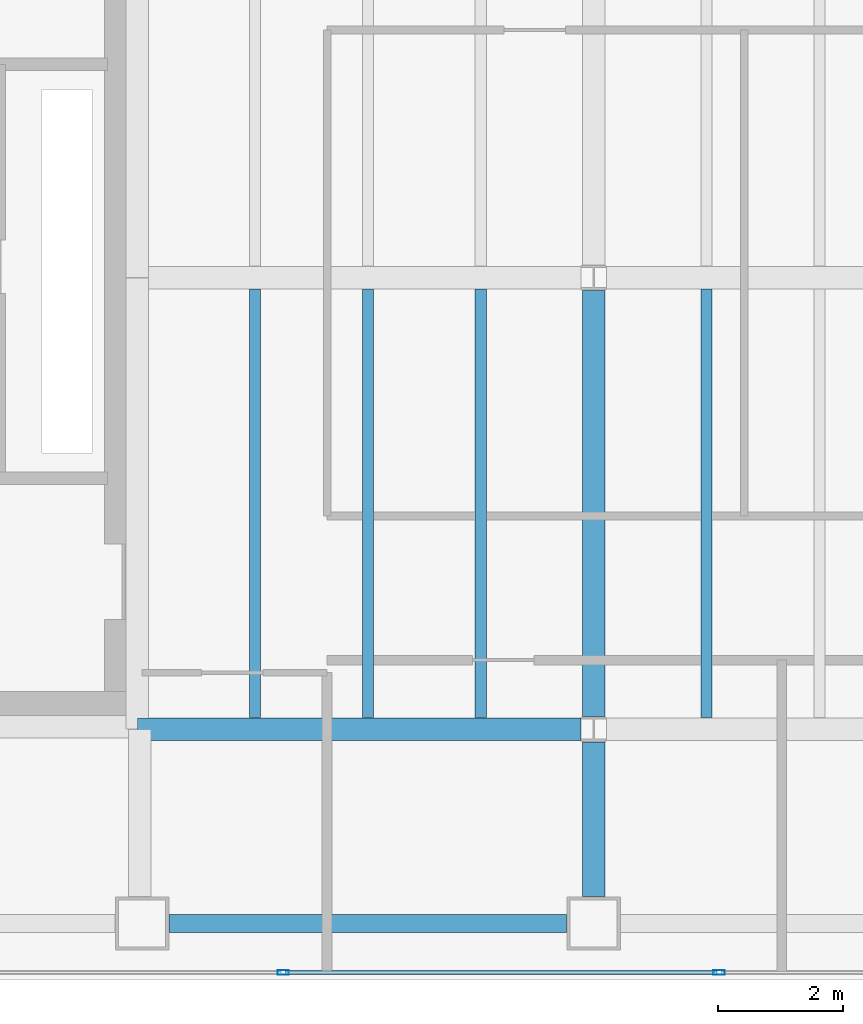
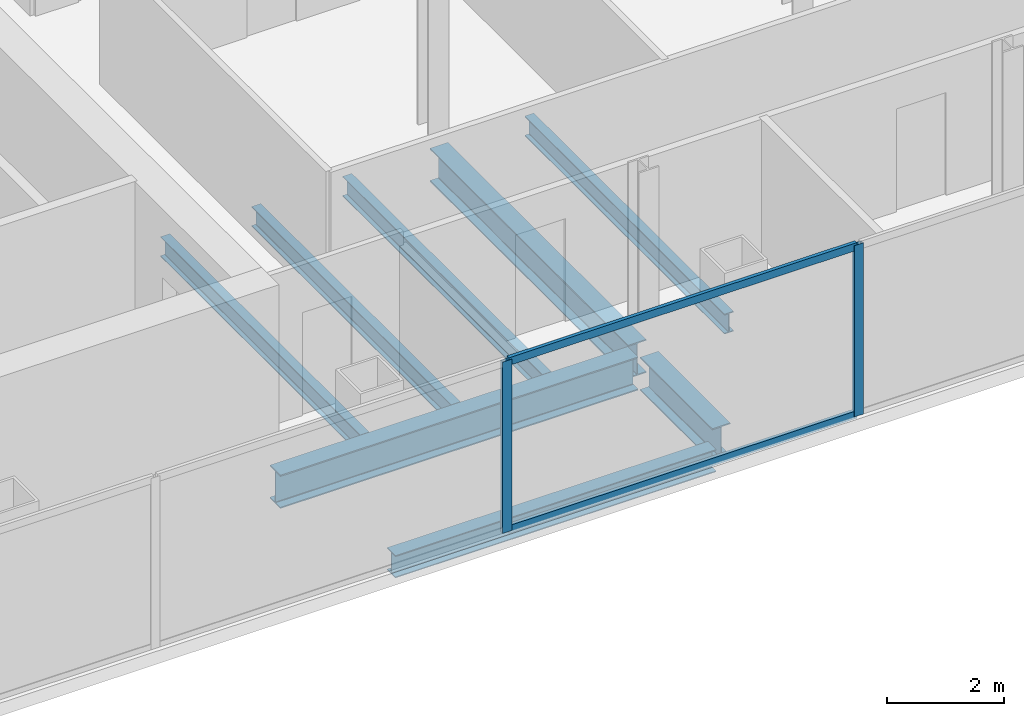
# One storey, part 4 of 23: 8 beams, 4 members, 1 element without a shape of its own.
"""IFC4 building model written with IfcOpenShell, lengths in metres."""

from ifc_helpers import new_model, si_unit, direction, frame, origin, origin_2d, place, context, subcontext, project, spatial, hollow_rectangle, i_section, extrude, material, material_profile, profile_set, type_object, element, aggregate, save


model = new_model("IFC4")

# Units and contexts
model_context = context("Model", 3, precision=1e-05, world=origin(), true_north=direction((0.0, 1.0)))
body_context = subcontext(model_context, "Body", "Model", "MODEL_VIEW")
ifc_project = project(units=[si_unit("LENGTHUNIT", "METRE"), si_unit("AREAUNIT", "SQUARE_METRE"), si_unit("VOLUMEUNIT", "CUBIC_METRE"), si_unit("PLANEANGLEUNIT", "RADIAN"), si_unit("MASSUNIT", "GRAM", prefix="KILO")], contexts=[model_context])

# Site, building, storey
site_placement = place(None, origin())
site = spatial("IfcSite", under=ifc_project, at=site_placement, CompositionType="ELEMENT")
building_placement = place(site_placement, origin())
building = spatial("IfcBuilding", under=site, at=building_placement, Name="Cobrela Telecom Tower", CompositionType="ELEMENT")
storey_placement = place(building_placement, frame((0.0, 0.0, 159.949951171875)))
storey = spatial("IfcBuildingStorey", under=building, at=storey_placement, Name="L40", CompositionType="ELEMENT", Elevation=159.949951171875)

# Beams
ifc_material_1 = material(Name="Steel ASTM A992 Grade 50", Category="steel")
ifc_material_profile_1 = material_profile(ifc_material_1, i_section(OverallWidth=0.35595703125, OverallDepth=0.696044921875, WebThickness=0.015380859375, FlangeThickness=0.024658203125, FilletRadius=0.01806640625, at=origin_2d()), Name="W27X146")
ifc_profile_set_1 = profile_set([ifc_material_profile_1], Name="Steel ASTM A992 Grade 50")
beam_type_1 = type_object("IfcBeamType", Name="BM-GIRD-05", PredefinedType="USERDEFINED", material=ifc_profile_set_1)
beam_1_placement = place(storey_placement, frame((14.324951171875, 7.199951171875, -0.617919921875), z_axis=(1.0, 0.0, 0.0), x_axis=(0.0, 1.0, 0.0)))
element("IfcBeam", 1, at=beam_1_placement, inside=storey, type_object=beam_type_1, Name="L40 Primary Girder X08", ObjectType="GIRDER", PredefinedType="USERDEFINED", context=body_context, shape_type="SweptSolid", body=[
    extrude(i_section(OverallWidth=0.35595703125, OverallDepth=0.696044921875, WebThickness=0.015380859375, FlangeThickness=0.024658203125, FilletRadius=0.01806640625, at=origin_2d()), origin(), (0.0, 0.0, 1.0), 7.070556640625),
])
beam_2_placement = place(storey_placement, frame((21.60009765625, 4.530029296875, -0.617919921875), z_axis=(0.0, 1.0, 0.0), x_axis=(-1.0, 0.0, 0.0)))
element("IfcBeam", 2, at=beam_2_placement, inside=storey, type_object=beam_type_1, Name="L40 Primary Girder Y35", ObjectType="GIRDER", PredefinedType="USERDEFINED", context=body_context, shape_type="SweptSolid", body=[
    extrude(i_section(OverallWidth=0.35595703125, OverallDepth=0.696044921875, WebThickness=0.015380859375, FlangeThickness=0.024658203125, FilletRadius=0.01806640625, at=origin_2d()), origin(), (0.0, 0.0, 1.0), 2.465576171875),
])
beam_3_placement = place(storey_placement, frame((21.60009765625, 7.404541015625, -0.617919921875), z_axis=(0.0, 1.0, 0.0), x_axis=(-1.0, 0.0, 0.0)))
element("IfcBeam", 3, at=beam_3_placement, inside=storey, type_object=beam_type_1, Name="L40 Primary Girder Y36", ObjectType="GIRDER", PredefinedType="USERDEFINED", context=body_context, shape_type="SweptSolid", body=[
    extrude(i_section(OverallWidth=0.35595703125, OverallDepth=0.696044921875, WebThickness=0.015380859375, FlangeThickness=0.024658203125, FilletRadius=0.01806640625, at=origin_2d()), origin(), (0.0, 0.0, 1.0), 6.791015625),
])
ifc_material_profile_2 = material_profile(ifc_material_1, i_section(OverallWidth=0.179931640625, OverallDepth=0.4169921875, WebThickness=0.010986328125, FlangeThickness=0.01806640625, FilletRadius=0.011962890625, at=origin_2d()), Name="W16X57")
ifc_profile_set_2 = profile_set([ifc_material_profile_2], Name="Steel ASTM A992 Grade 50")
beam_type_2 = type_object("IfcBeamType", Name="BM-JOIST-04", PredefinedType="JOIST", material=ifc_profile_set_2)
for number, where, z_axis, x_axis, name in (
    (4, (16.199951171875, 7.383056640625, -0.478515625), (0.0, 1.0, 0.0), (-1.0, 0.0, 0.0), "L40 Secondary Composite Floor Beam J04"),
    (5, (18.0, 7.383056640625, -0.478515625), (0.0, 1.0, 0.0), (-1.0, 0.0, 0.0), "L40 Secondary Composite Floor Beam J09"),
    (6, (19.800048828125, 7.383056640625, -0.478515625), (0.0, 1.0, 0.0), (-1.0, 0.0, 0.0), "L40 Secondary Composite Floor Beam J14"),
    (7, (23.39990234375, 7.383056640625, -0.478515625), (0.0, 1.0, 0.0), (-1.0, 0.0, 0.0), "L40 Secondary Composite Floor Beam J19"),
):
    element("IfcBeam", number, at=place(storey_placement, frame(where, z_axis=z_axis, x_axis=x_axis)), inside=storey, type_object=beam_type_2, Name=name, PredefinedType="JOIST", context=body_context, shape_type="SweptSolid", body=[
        extrude(i_section(OverallWidth=0.179931640625, OverallDepth=0.4169921875, WebThickness=0.010986328125, FlangeThickness=0.01806640625, FilletRadius=0.011962890625, at=origin_2d()), origin(), (0.0, 0.0, 1.0), 6.833984375),
    ])
ifc_material_profile_3 = material_profile(ifc_material_1, i_section(OverallWidth=0.281982421875, OverallDepth=0.467041015625, WebThickness=0.01220703125, FlangeThickness=0.01953125, FilletRadius=0.012939453125, at=origin_2d()), Name="W18X86")
ifc_profile_set_3 = profile_set([ifc_material_profile_3], Name="Steel ASTM A992 Grade 50")
beam_type_3 = type_object("IfcBeamType", Name="BM-SPAND-04", PredefinedType="SPANDREL", material=ifc_profile_set_3)
beam_4_placement = place(storey_placement, frame((14.830078125, 4.10009765625, -0.50341796875), z_axis=(1.0, 0.0, 0.0), x_axis=(0.0, 1.0, 0.0)))
element("IfcBeam", 8, at=beam_4_placement, inside=storey, type_object=beam_type_3, Name="L40 Perimeter Spandrel X02", PredefinedType="SPANDREL", context=body_context, shape_type="SweptSolid", body=[
    extrude(i_section(OverallWidth=0.281982421875, OverallDepth=0.467041015625, WebThickness=0.01220703125, FlangeThickness=0.01953125, FilletRadius=0.012939453125, at=origin_2d()), origin(), (0.0, 0.0, 1.0), 6.33984375),
])

# Curtain wall, members
ifc_material_2 = material(Name="Anodized Bronze Aluminium 6063-T6", Category="aluminium")
curtain_wall_type = type_object("IfcCurtainWallType", Name="CW-SYS-TEL", PredefinedType="USERDEFINED", material=ifc_material_2)
curtain_wall_placement = place(storey_placement, origin())
curtain_wall = element("IfcCurtainWall", 9, at=curtain_wall_placement, inside=storey, type_object=curtain_wall_type, Name="L40 Unitised Bronze Curtain Wall 17", ObjectType="UNITISED CURTAIN WALL", PredefinedType="USERDEFINED")
ifc_material_profile_4 = material_profile(ifc_material_2, hollow_rectangle(XDim=0.074951171875, YDim=0.179931640625, WallThickness=0.00390625, at=origin_2d()), Name="ALU 75x180x4")
ifc_profile_set_4 = profile_set([ifc_material_profile_4], Name="Anodized Bronze Aluminium 6063-T6")
member_type_1 = type_object("IfcMemberType", Name="CW-SYS-TEL-MUL", PredefinedType="MULLION", material=ifc_profile_set_4)
member_1_placement = place(storey_placement, frame((23.60009765625, 3.320068359375, 0.0), z_axis=(0.0, 0.0, 1.0), x_axis=(0.0, -1.0, 0.0)))
member_1 = element("IfcMember", 10, at=member_1_placement, type_object=member_type_1, Name="CW-TEL mullion 4", PredefinedType="MULLION", context=body_context, shape_type="SweptSolid", body=[
    extrude(hollow_rectangle(XDim=0.074951171875, YDim=0.179931640625, WallThickness=0.00390625, at=origin_2d()), origin(), (0.0, 0.0, 1.0), 3.580078125),
])
member_2_placement = place(storey_placement, frame((16.64990234375, 3.320068359375, 0.0), z_axis=(0.0, 0.0, 1.0), x_axis=(0.0, -1.0, 0.0)))
member_2 = element("IfcMember", 11, at=member_2_placement, type_object=member_type_1, Name="CW-TEL mullion 5", PredefinedType="MULLION", context=body_context, shape_type="SweptSolid", body=[
    extrude(hollow_rectangle(XDim=0.074951171875, YDim=0.179931640625, WallThickness=0.00390625, at=origin_2d()), origin(), (0.0, 0.0, 1.0), 3.580078125),
])
ifc_material_profile_5 = material_profile(ifc_material_2, hollow_rectangle(XDim=0.070068359375, YDim=0.159912109375, WallThickness=0.00390625, at=origin_2d()), Name="ALU 70x160x4")
ifc_profile_set_5 = profile_set([ifc_material_profile_5], Name="Anodized Bronze Aluminium 6063-T6")
member_type_2 = type_object("IfcMemberType", Name="CW-SYS-TEL-TRN", PredefinedType="USERDEFINED", material=ifc_profile_set_5)
member_3_placement = place(storey_placement, frame((23.5625, 3.320068359375, 0.03515625), z_axis=(-1.0, 0.0, 0.0), x_axis=(0.0, -1.0, 0.0)))
member_3 = element("IfcMember", 12, at=member_3_placement, type_object=member_type_2, Name="CW-TEL transom 4.1", ObjectType="TRANSOM", PredefinedType="USERDEFINED", context=body_context, shape_type="SweptSolid", body=[
    extrude(hollow_rectangle(XDim=0.070068359375, YDim=0.159912109375, WallThickness=0.00390625, at=origin_2d()), origin(), (0.0, 0.0, 1.0), 6.875),
])
member_4_placement = place(storey_placement, frame((23.5625, 3.320068359375, 3.545166015625), z_axis=(-1.0, 0.0, 0.0), x_axis=(0.0, -1.0, 0.0)))
member_4 = element("IfcMember", 13, at=member_4_placement, type_object=member_type_2, Name="CW-TEL transom 4.2", ObjectType="TRANSOM", PredefinedType="USERDEFINED", context=body_context, shape_type="SweptSolid", body=[
    extrude(hollow_rectangle(XDim=0.070068359375, YDim=0.159912109375, WallThickness=0.00390625, at=origin_2d()), origin(), (0.0, 0.0, 1.0), 6.875),
])
aggregate(curtain_wall, [member_1, member_2, member_3, member_4])

save(model, "model.ifc")
